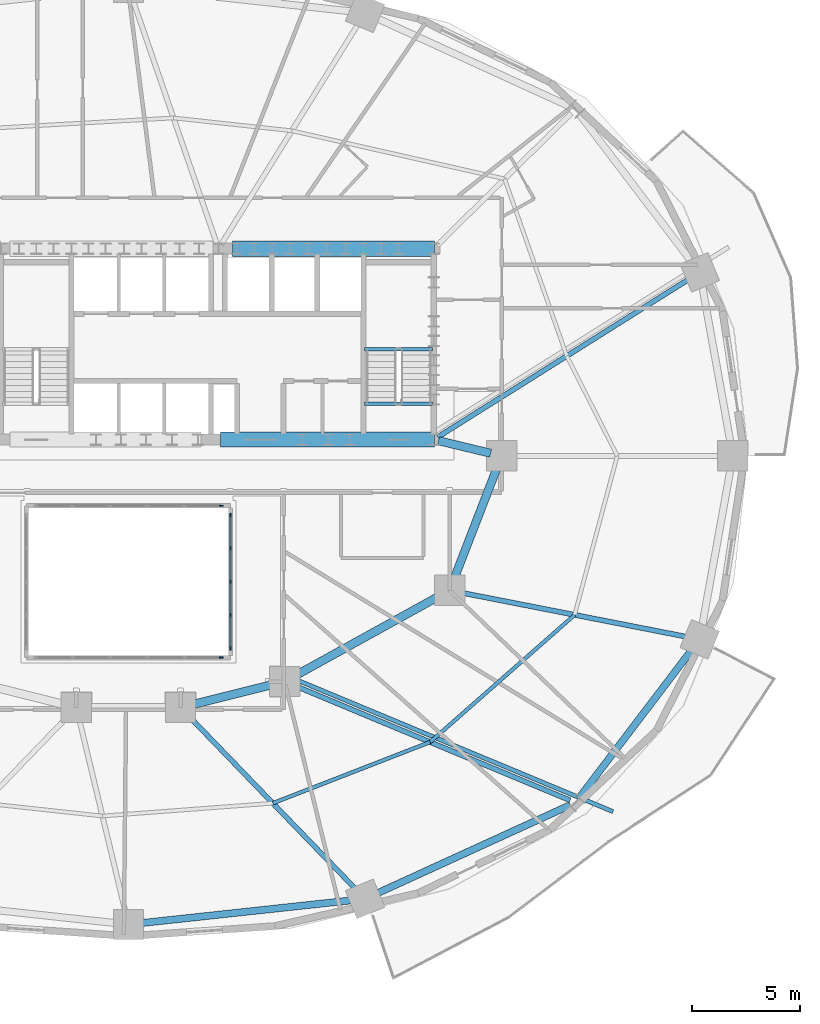
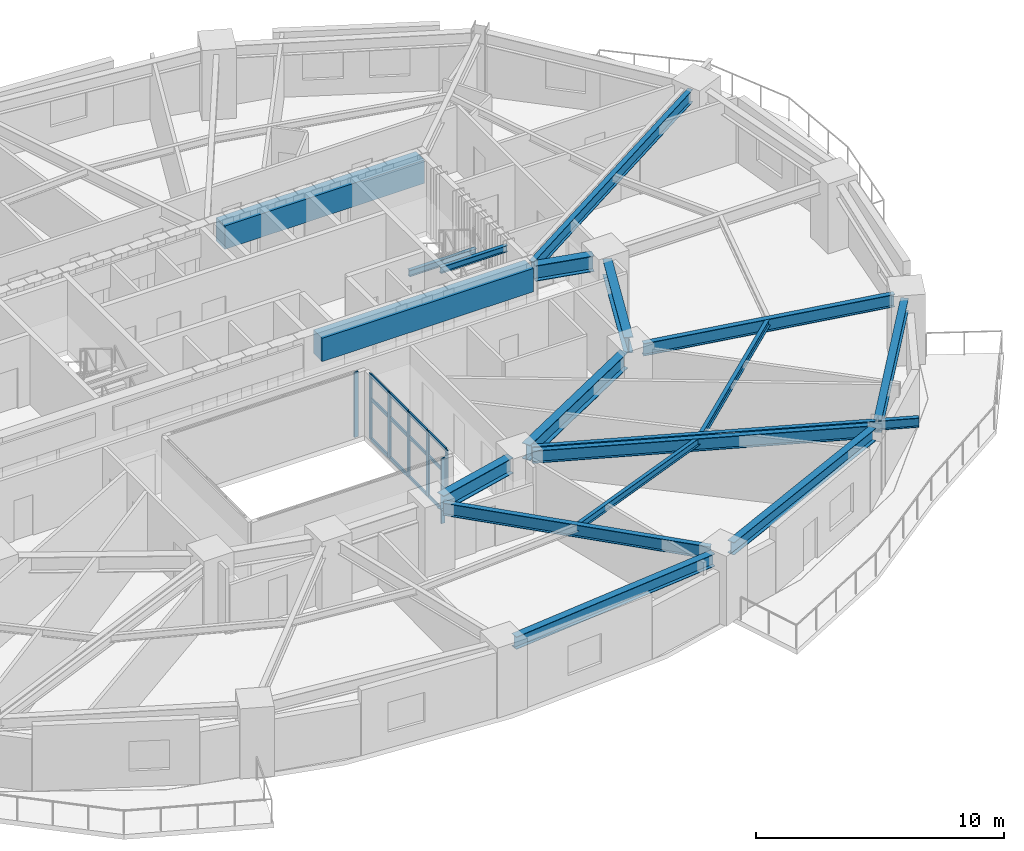
# One storey, part 5 of 15: 19 members, 18 beams, 3 elements without a shape of their own.
"""IFC4 building model written with IfcOpenShell, lengths in metres."""

from ifc_helpers import new_model, si_unit, direction, frame, origin, origin_2d, place, context, subcontext, project, spatial, rectangle, i_section, extrude, material, material_profile, profile_set, type_object, element, aggregate, save


model = new_model("IFC4")

# Units and contexts
model_context = context("Model", 3, precision=1e-05, world=origin(), true_north=direction((0.0, 1.0)))
body_context = subcontext(model_context, "Body", "Model", "MODEL_VIEW")
ifc_project = project(units=[si_unit("LENGTHUNIT", "METRE"), si_unit("AREAUNIT", "SQUARE_METRE"), si_unit("VOLUMEUNIT", "CUBIC_METRE"), si_unit("PLANEANGLEUNIT", "RADIAN"), si_unit("MASSUNIT", "GRAM", prefix="KILO")], contexts=[model_context])

# Site, building, storey
site_placement = place(None, origin())
site = spatial("IfcSite", under=ifc_project, at=site_placement, CompositionType="ELEMENT")
building_placement = place(site_placement, origin())
building = spatial("IfcBuilding", under=site, at=building_placement, Name="Haldorwick Loom Tower", CompositionType="ELEMENT")
storey_placement = place(building_placement, frame((0.0, 0.0, 92.14990234375)))
storey = spatial("IfcBuildingStorey", under=building, at=storey_placement, Name="L24", CompositionType="ELEMENT", Elevation=92.14990234375)

# Curtain wall, member
ifc_material_1 = material(Name="Thermally Broken Anodized Aluminium Curtain Wall Framing", Category="aluminium")
curtain_wall_type = type_object("IfcCurtainWallType", Name="ARC-CW-03", PredefinedType="NOTDEFINED", material=ifc_material_1)
curtain_wall_1_placement = place(storey_placement, origin())
curtain_wall_1 = element("IfcCurtainWall", 1, at=curtain_wall_1_placement, inside=storey, type_object=curtain_wall_type, Name="L24 Atrium Glazed Screen S", PredefinedType="NOTDEFINED")
ifc_material_profile_1 = material_profile(ifc_material_1, rectangle(XDim=0.06591796875, YDim=0.18505859375, at=origin_2d()), Name="ALU_MUL_66X185", Category="aluminium")
ifc_profile_set_1 = profile_set([ifc_material_profile_1], Name="Thermally Broken Anodized Aluminium Curtain Wall Framing")
member_type_1 = type_object("IfcMemberType", Name="ARC-CWM-03", PredefinedType="MULLION", material=ifc_profile_set_1)
member_1_placement = place(storey_placement, frame((40.26708984375, 16.699951171875, 0.0), z_axis=(0.0, 0.0, 1.0), x_axis=(0.0, -1.0, 0.0)))
member_1 = element("IfcMember", 2, at=member_1_placement, type_object=member_type_1, Name="CW-03 mullion 1", PredefinedType="MULLION", context=body_context, shape_type="SweptSolid", body=[
    extrude(rectangle(XDim=0.06591796875, YDim=0.18505859375, at=origin_2d()), origin(), (0.0, 0.0, 1.0), 3.210205078125),
])
aggregate(curtain_wall_1, [member_1])

curtain_wall_2_placement = place(storey_placement, origin())
curtain_wall_2 = element("IfcCurtainWall", 3, at=curtain_wall_2_placement, inside=storey, type_object=curtain_wall_type, Name="L24 Atrium Glazed Screen N", PredefinedType="NOTDEFINED")
member_2_placement = place(storey_placement, frame((40.26708984375, 23.699951171875, 0.0), z_axis=(0.0, 0.0, 1.0), x_axis=(0.0, 1.0, 0.0)))
member_2 = element("IfcMember", 4, at=member_2_placement, type_object=member_type_1, Name="CW-03 mullion 6", PredefinedType="MULLION", context=body_context, shape_type="SweptSolid", body=[
    extrude(rectangle(XDim=0.06591796875, YDim=0.18505859375, at=origin_2d()), origin(), (0.0, 0.0, 1.0), 3.210205078125),
])
aggregate(curtain_wall_2, [member_2])

# Curtain wall, members
curtain_wall_3_placement = place(storey_placement, origin())
curtain_wall_3 = element("IfcCurtainWall", 5, at=curtain_wall_3_placement, inside=storey, type_object=curtain_wall_type, Name="L24 Atrium Glazed Screen E", PredefinedType="NOTDEFINED")
member_3_placement = place(storey_placement, frame((40.699951171875, 23.26708984375, 0.0), z_axis=(0.0, 0.0, 1.0), x_axis=(1.0, 0.0, 0.0)))
member_3 = element("IfcMember", 6, at=member_3_placement, type_object=member_type_1, Name="CW-03 mullion 1", PredefinedType="MULLION", context=body_context, shape_type="SweptSolid", body=[
    extrude(rectangle(XDim=0.06591796875, YDim=0.18505859375, at=origin_2d()), origin(), (0.0, 0.0, 1.0), 3.210205078125),
])
member_4_placement = place(storey_placement, frame((40.699951171875, 21.75, 0.0), z_axis=(0.0, 0.0, 1.0), x_axis=(1.0, 0.0, 0.0)))
member_4 = element("IfcMember", 7, at=member_4_placement, type_object=member_type_1, Name="CW-03 mullion 2", PredefinedType="MULLION", context=body_context, shape_type="SweptSolid", body=[
    extrude(rectangle(XDim=0.06591796875, YDim=0.18505859375, at=origin_2d()), origin(), (0.0, 0.0, 1.0), 3.210205078125),
])
member_5_placement = place(storey_placement, frame((40.699951171875, 20.199951171875, 0.0), z_axis=(0.0, 0.0, 1.0), x_axis=(1.0, 0.0, 0.0)))
member_5 = element("IfcMember", 8, at=member_5_placement, type_object=member_type_1, Name="CW-03 mullion 3", PredefinedType="MULLION", context=body_context, shape_type="SweptSolid", body=[
    extrude(rectangle(XDim=0.06591796875, YDim=0.18505859375, at=origin_2d()), origin(), (0.0, 0.0, 1.0), 3.210205078125),
])
member_6_placement = place(storey_placement, frame((40.699951171875, 18.64990234375, 0.0), z_axis=(0.0, 0.0, 1.0), x_axis=(1.0, 0.0, 0.0)))
member_6 = element("IfcMember", 9, at=member_6_placement, type_object=member_type_1, Name="CW-03 mullion 4", PredefinedType="MULLION", context=body_context, shape_type="SweptSolid", body=[
    extrude(rectangle(XDim=0.06591796875, YDim=0.18505859375, at=origin_2d()), origin(), (0.0, 0.0, 1.0), 3.210205078125),
])
member_7_placement = place(storey_placement, frame((40.699951171875, 17.133056640625, 0.0), z_axis=(0.0, 0.0, 1.0), x_axis=(1.0, 0.0, 0.0)))
member_7 = element("IfcMember", 10, at=member_7_placement, type_object=member_type_1, Name="CW-03 mullion 5", PredefinedType="MULLION", context=body_context, shape_type="SweptSolid", body=[
    extrude(rectangle(XDim=0.06591796875, YDim=0.18505859375, at=origin_2d()), origin(), (0.0, 0.0, 1.0), 3.210205078125),
])
ifc_material_profile_2 = material_profile(ifc_material_1, rectangle(XDim=0.06591796875, YDim=0.1650390625, at=origin_2d()), Name="ALU_TRN_66X165", Category="aluminium")
ifc_profile_set_2 = profile_set([ifc_material_profile_2], Name="Thermally Broken Anodized Aluminium Curtain Wall Framing")
member_type_2 = type_object("IfcMemberType", Name="ARC-CWT-03", PredefinedType="USERDEFINED", material=ifc_profile_set_2)
member_8_placement = place(storey_placement, frame((40.699951171875, 23.23388671875, 0.033203125), z_axis=(0.0, -1.0, 0.0), x_axis=(1.0, 0.0, 0.0)))
member_8 = element("IfcMember", 11, at=member_8_placement, type_object=member_type_2, Name="CW-03 transom 1.1", ObjectType="TRANSOM", PredefinedType="USERDEFINED", context=body_context, shape_type="SweptSolid", body=[
    extrude(rectangle(XDim=0.06591796875, YDim=0.1650390625, at=origin_2d()), origin(), (0.0, 0.0, 1.0), 1.450927734375),
])
member_9_placement = place(storey_placement, frame((40.699951171875, 23.23388671875, 2.0), z_axis=(0.0, -1.0, 0.0), x_axis=(1.0, 0.0, 0.0)))
member_9 = element("IfcMember", 12, at=member_9_placement, type_object=member_type_2, Name="CW-03 transom 1.2", ObjectType="TRANSOM", PredefinedType="USERDEFINED", context=body_context, shape_type="SweptSolid", body=[
    extrude(rectangle(XDim=0.06591796875, YDim=0.1650390625, at=origin_2d()), origin(), (0.0, 0.0, 1.0), 1.450927734375),
])
member_10_placement = place(storey_placement, frame((40.699951171875, 23.23388671875, 3.177001953125), z_axis=(0.0, -1.0, 0.0), x_axis=(1.0, 0.0, 0.0)))
member_10 = element("IfcMember", 13, at=member_10_placement, type_object=member_type_2, Name="CW-03 transom 1.3", ObjectType="TRANSOM", PredefinedType="USERDEFINED", context=body_context, shape_type="SweptSolid", body=[
    extrude(rectangle(XDim=0.06591796875, YDim=0.1650390625, at=origin_2d()), origin(), (0.0, 0.0, 1.0), 1.450927734375),
])
member_11_placement = place(storey_placement, frame((40.699951171875, 21.717041015625, 0.033203125), z_axis=(0.0, -1.0, 0.0), x_axis=(1.0, 0.0, 0.0)))
member_11 = element("IfcMember", 14, at=member_11_placement, type_object=member_type_2, Name="CW-03 transom 2.1", ObjectType="TRANSOM", PredefinedType="USERDEFINED", context=body_context, shape_type="SweptSolid", body=[
    extrude(rectangle(XDim=0.06591796875, YDim=0.1650390625, at=origin_2d()), origin(), (0.0, 0.0, 1.0), 1.484130859375),
])
member_12_placement = place(storey_placement, frame((40.699951171875, 21.717041015625, 2.0), z_axis=(0.0, -1.0, 0.0), x_axis=(1.0, 0.0, 0.0)))
member_12 = element("IfcMember", 15, at=member_12_placement, type_object=member_type_2, Name="CW-03 transom 2.2", ObjectType="TRANSOM", PredefinedType="USERDEFINED", context=body_context, shape_type="SweptSolid", body=[
    extrude(rectangle(XDim=0.06591796875, YDim=0.1650390625, at=origin_2d()), origin(), (0.0, 0.0, 1.0), 1.484130859375),
])
member_13_placement = place(storey_placement, frame((40.699951171875, 21.717041015625, 3.177001953125), z_axis=(0.0, -1.0, 0.0), x_axis=(1.0, 0.0, 0.0)))
member_13 = element("IfcMember", 16, at=member_13_placement, type_object=member_type_2, Name="CW-03 transom 2.3", ObjectType="TRANSOM", PredefinedType="USERDEFINED", context=body_context, shape_type="SweptSolid", body=[
    extrude(rectangle(XDim=0.06591796875, YDim=0.1650390625, at=origin_2d()), origin(), (0.0, 0.0, 1.0), 1.484130859375),
])
member_14_placement = place(storey_placement, frame((40.699951171875, 20.1669921875, 0.033203125), z_axis=(0.0, -1.0, 0.0), x_axis=(1.0, 0.0, 0.0)))
member_14 = element("IfcMember", 17, at=member_14_placement, type_object=member_type_2, Name="CW-03 transom 3.1", ObjectType="TRANSOM", PredefinedType="USERDEFINED", context=body_context, shape_type="SweptSolid", body=[
    extrude(rectangle(XDim=0.06591796875, YDim=0.1650390625, at=origin_2d()), origin(), (0.0, 0.0, 1.0), 1.48388671875),
])
member_15_placement = place(storey_placement, frame((40.699951171875, 20.1669921875, 2.0), z_axis=(0.0, -1.0, 0.0), x_axis=(1.0, 0.0, 0.0)))
member_15 = element("IfcMember", 18, at=member_15_placement, type_object=member_type_2, Name="CW-03 transom 3.2", ObjectType="TRANSOM", PredefinedType="USERDEFINED", context=body_context, shape_type="SweptSolid", body=[
    extrude(rectangle(XDim=0.06591796875, YDim=0.1650390625, at=origin_2d()), origin(), (0.0, 0.0, 1.0), 1.48388671875),
])
member_16_placement = place(storey_placement, frame((40.699951171875, 20.1669921875, 3.177001953125), z_axis=(0.0, -1.0, 0.0), x_axis=(1.0, 0.0, 0.0)))
member_16 = element("IfcMember", 19, at=member_16_placement, type_object=member_type_2, Name="CW-03 transom 3.3", ObjectType="TRANSOM", PredefinedType="USERDEFINED", context=body_context, shape_type="SweptSolid", body=[
    extrude(rectangle(XDim=0.06591796875, YDim=0.1650390625, at=origin_2d()), origin(), (0.0, 0.0, 1.0), 1.48388671875),
])
member_17_placement = place(storey_placement, frame((40.699951171875, 18.616943359375, 0.033203125), z_axis=(0.0, -1.0, 0.0), x_axis=(1.0, 0.0, 0.0)))
member_17 = element("IfcMember", 20, at=member_17_placement, type_object=member_type_2, Name="CW-03 transom 4.1", ObjectType="TRANSOM", PredefinedType="USERDEFINED", context=body_context, shape_type="SweptSolid", body=[
    extrude(rectangle(XDim=0.06591796875, YDim=0.1650390625, at=origin_2d()), origin(), (0.0, 0.0, 1.0), 1.450927734375),
])
member_18_placement = place(storey_placement, frame((40.699951171875, 18.616943359375, 2.0), z_axis=(0.0, -1.0, 0.0), x_axis=(1.0, 0.0, 0.0)))
member_18 = element("IfcMember", 21, at=member_18_placement, type_object=member_type_2, Name="CW-03 transom 4.2", ObjectType="TRANSOM", PredefinedType="USERDEFINED", context=body_context, shape_type="SweptSolid", body=[
    extrude(rectangle(XDim=0.06591796875, YDim=0.1650390625, at=origin_2d()), origin(), (0.0, 0.0, 1.0), 1.450927734375),
])
member_19_placement = place(storey_placement, frame((40.699951171875, 18.616943359375, 3.177001953125), z_axis=(0.0, -1.0, 0.0), x_axis=(1.0, 0.0, 0.0)))
member_19 = element("IfcMember", 22, at=member_19_placement, type_object=member_type_2, Name="CW-03 transom 4.3", ObjectType="TRANSOM", PredefinedType="USERDEFINED", context=body_context, shape_type="SweptSolid", body=[
    extrude(rectangle(XDim=0.06591796875, YDim=0.1650390625, at=origin_2d()), origin(), (0.0, 0.0, 1.0), 1.450927734375),
])
aggregate(curtain_wall_3, [member_3, member_4, member_5, member_6, member_7, member_8, member_9, member_10, member_11, member_12, member_13, member_14, member_15, member_16, member_17, member_18, member_19])

# Beams
ifc_material_2 = material(Name="Steel CSA G40.21 350W", Category="steel")
ifc_material_profile_3 = material_profile(ifc_material_2, i_section(OverallWidth=0.193115234375, OverallDepth=0.466064453125, WebThickness=0.011474609375, FlangeThickness=0.01904296875, at=origin_2d()), Name="W460X97", Category="steel")
ifc_profile_set_3 = profile_set([ifc_material_profile_3], Name="Steel CSA G40.21 350W")
beam_type_1 = type_object("IfcBeamType", Name="STR-BM-BAL460", PredefinedType="BEAM", material=ifc_profile_set_3)
beam_1_placement = place(storey_placement, frame((43.78759765625, 15.65869140625, 2.97705078125), z_axis=(0.923187850755, -0.384349049976, 0.0), x_axis=(0.384349049976, 0.923187850755, 0.0)))
element("IfcBeam", 23, at=beam_1_placement, inside=storey, type_object=beam_type_1, Name="L24 Continuous Back-Spanned Balcony Beam 1", PredefinedType="BEAM", context=body_context, shape_type="SweptSolid", body=[
    extrude(i_section(OverallWidth=0.193115234375, OverallDepth=0.466064453125, WebThickness=0.011474609375, FlangeThickness=0.01904296875, at=origin_2d()), origin(), (0.0, 0.0, 1.0), 15.75244140625),
])
ifc_material_3 = material(Name="Concrete C60 (60 MPa)", Category="concrete")
ifc_material_profile_4 = material_profile(ifc_material_3, rectangle(XDim=0.699951171875, YDim=1.14990234375, at=origin_2d()), Name="RC700X1150", Category="concrete")
ifc_profile_set_4 = profile_set([ifc_material_profile_4], Name="Concrete C60 (60 MPa)")
beam_type_2 = type_object("IfcBeamType", Name="STR-BM-CB1150", PredefinedType="LINTEL", material=ifc_profile_set_4)
beam_2_placement = place(storey_placement, frame((40.800048828125, 35.550048828125, 2.635009765625), z_axis=(1.0, 0.0, 0.0), x_axis=(0.0, 1.0, 0.0)))
element("IfcBeam", 24, at=beam_2_placement, inside=storey, type_object=beam_type_2, Name="L24 Core Coupling Beam CB-N3", PredefinedType="LINTEL", context=body_context, shape_type="SweptSolid", body=[
    extrude(rectangle(XDim=0.699951171875, YDim=1.14990234375, at=origin_2d()), origin(), (0.0, 0.0, 1.0), 9.300048828125),
])
beam_3_placement = place(storey_placement, frame((40.25, 26.75, 2.635009765625), z_axis=(1.0, 0.0, 0.0), x_axis=(0.0, 1.0, 0.0)))
element("IfcBeam", 25, at=beam_3_placement, inside=storey, type_object=beam_type_2, Name="L24 Core Coupling Beam CB-S3", PredefinedType="LINTEL", context=body_context, shape_type="SweptSolid", body=[
    extrude(rectangle(XDim=0.699951171875, YDim=1.14990234375, at=origin_2d()), origin(), (0.0, 0.0, 1.0), 9.85009765625),
])
ifc_material_profile_5 = material_profile(ifc_material_2, i_section(OverallWidth=0.172119140625, OverallDepth=0.35791015625, WebThickness=0.0078125, FlangeThickness=0.01318359375, at=origin_2d()), Name="W360X57", Category="steel")
ifc_profile_set_5 = profile_set([ifc_material_profile_5], Name="Steel CSA G40.21 350W")
beam_type_3 = type_object("IfcBeamType", Name="STR-BM-J360", PredefinedType="JOIST", material=ifc_profile_set_5)
beam_4_placement = place(storey_placement, frame((42.6533203125, 9.9912109375, 3.031005859375), z_axis=(0.932072983051, 0.362270553959, 0.0), x_axis=(-0.362270553959, 0.932072983051, 0.0)))
element("IfcBeam", 26, at=beam_4_placement, inside=storey, type_object=beam_type_3, Name="L24 Mid-Bay Secondary Joist 14", PredefinedType="JOIST", context=body_context, shape_type="SweptSolid", body=[
    extrude(i_section(OverallWidth=0.172119140625, OverallDepth=0.35791015625, WebThickness=0.0078125, FlangeThickness=0.01318359375, at=origin_2d()), origin(), (0.0, 0.0, 1.0), 7.7783203125),
])
beam_5_placement = place(storey_placement, frame((49.9033203125, 12.80908203125, 3.031005859375), z_axis=(0.750721157729, 0.660619212057, 0.0), x_axis=(-0.660619212057, 0.750721157729, 0.0)))
element("IfcBeam", 27, at=beam_5_placement, inside=storey, type_object=beam_type_3, Name="L24 Mid-Bay Secondary Joist 15", PredefinedType="JOIST", context=body_context, shape_type="SweptSolid", body=[
    extrude(i_section(OverallWidth=0.172119140625, OverallDepth=0.35791015625, WebThickness=0.0078125, FlangeThickness=0.01318359375, at=origin_2d()), origin(), (0.0, 0.0, 1.0), 8.8740234375),
])
ifc_material_profile_6 = material_profile(ifc_material_2, i_section(OverallWidth=0.324951171875, OverallDepth=0.615966796875, WebThickness=0.013916015625, FlangeThickness=0.021484375, at=origin_2d()), Name="W610X174", Category="steel")
ifc_profile_set_6 = profile_set([ifc_material_profile_6], Name="Steel CSA G40.21 350W")
beam_type_4 = type_object("IfcBeamType", Name="STR-BM-SP610", PredefinedType="SPANDREL", material=ifc_profile_set_6)
beam_6_placement = place(storey_placement, frame((36.51708984375, 4.45751953125, 2.902099609375), z_axis=(0.994190135627, 0.107638163409, 0.0), x_axis=(-0.107638163409, 0.994190135627, 0.0)))
element("IfcBeam", 28, at=beam_6_placement, inside=storey, type_object=beam_type_4, Name="L24 Perimeter Spandrel 13", PredefinedType="SPANDREL", context=body_context, shape_type="SweptSolid", body=[
    extrude(i_section(OverallWidth=0.324951171875, OverallDepth=0.615966796875, WebThickness=0.013916015625, FlangeThickness=0.021484375, at=origin_2d()), origin(), (0.0, 0.0, 1.0), 9.929931640625),
])
beam_7_placement = place(storey_placement, frame((47.37939453125, 5.798583984375, 2.902099609375), z_axis=(0.909423969306, 0.415870225011, 0.0), x_axis=(-0.415870225011, 0.909423969306, 0.0)))
element("IfcBeam", 29, at=beam_7_placement, inside=storey, type_object=beam_type_4, Name="L24 Perimeter Spandrel 14", PredefinedType="SPANDREL", context=body_context, shape_type="SweptSolid", body=[
    extrude(i_section(OverallWidth=0.324951171875, OverallDepth=0.615966796875, WebThickness=0.013916015625, FlangeThickness=0.021484375, at=origin_2d()), origin(), (0.0, 0.0, 1.0), 9.871337890625),
])
beam_8_placement = place(storey_placement, frame((56.773193359375, 10.2373046875, 2.902099609375), z_axis=(0.605453508047, 0.795880675475, 0.0), x_axis=(-0.795880675475, 0.605453508047, 0.0)))
element("IfcBeam", 30, at=beam_8_placement, inside=storey, type_object=beam_type_4, Name="L24 Perimeter Spandrel 15", PredefinedType="SPANDREL", context=body_context, shape_type="SweptSolid", body=[
    extrude(i_section(OverallWidth=0.324951171875, OverallDepth=0.615966796875, WebThickness=0.013916015625, FlangeThickness=0.021484375, at=origin_2d()), origin(), (0.0, 0.0, 1.0), 8.6591796875),
])
ifc_material_profile_7 = material_profile(ifc_material_2, i_section(OverallWidth=0.166015625, OverallDepth=0.31298828125, WebThickness=0.006591796875, FlangeThickness=0.01123046875, at=origin_2d()), Name="W310X45", Category="steel")
ifc_profile_set_7 = profile_set([ifc_material_profile_7], Name="Steel CSA G40.21 350W")
beam_type_5 = type_object("IfcBeamType", Name="STR-BM-STRM", PredefinedType="BEAM", material=ifc_profile_set_7)
for number, where, z_axis, x_axis, name in (
    (31, (46.889892578125, 28.39990234375, 3.0537109375), (1.0, 0.0, 0.0), (0.0, 1.0, 0.0), "L24 Stair ST-02 Landing Edge Trimmer"),
    (32, (46.889892578125, 30.919921875, 1.36865234375), (1.0, 0.0, 0.0), (0.0, 1.0, 0.0), "L24 Stair ST-02 Half-Landing Trimmer 1"),
):
    element("IfcBeam", number, at=place(storey_placement, frame(where, z_axis=z_axis, x_axis=x_axis)), inside=storey, type_object=beam_type_5, Name=name, PredefinedType="BEAM", context=body_context, shape_type="SweptSolid", body=[
        extrude(i_section(OverallWidth=0.166015625, OverallDepth=0.31298828125, WebThickness=0.006591796875, FlangeThickness=0.01123046875, at=origin_2d()), origin(), (0.0, 0.0, 1.0), 3.1201171875),
    ])
ifc_material_profile_8 = material_profile(ifc_material_2, i_section(OverallWidth=0.22998046875, OverallDepth=0.616943359375, WebThickness=0.01318359375, FlangeThickness=0.022216796875, at=origin_2d()), Name="W610X140", Category="steel")
ifc_profile_set_8 = profile_set([ifc_material_profile_8], Name="Steel CSA G40.21 350W")
beam_type_6 = type_object("IfcBeamType", Name="STR-BM-W610B", PredefinedType="BEAM", material=ifc_profile_set_8)
beam_9_placement = place(storey_placement, frame((50.260498046875, 26.86962890625, 2.901611328125), z_axis=(0.846609551433, 0.532214493811, 0.0), x_axis=(-0.532214493811, 0.846609551433, 0.0)))
element("IfcBeam", 33, at=beam_9_placement, inside=storey, type_object=beam_type_6, Name="L24 Radial Floor Girder 2", PredefinedType="BEAM", context=body_context, shape_type="SweptSolid", body=[
    extrude(i_section(OverallWidth=0.22998046875, OverallDepth=0.616943359375, WebThickness=0.01318359375, FlangeThickness=0.022216796875, at=origin_2d()), origin(), (0.0, 0.0, 1.0), 13.737060546875),
])
beam_10_placement = place(storey_placement, frame((38.760986328125, 14.02587890625, 2.901611328125), z_axis=(0.694287071595, -0.719698174387, 0.0), x_axis=(0.719698174387, 0.694287071595, 0.0)))
element("IfcBeam", 34, at=beam_10_placement, inside=storey, type_object=beam_type_6, Name="L24 Radial Floor Girder 14", PredefinedType="BEAM", context=body_context, shape_type="SweptSolid", body=[
    extrude(i_section(OverallWidth=0.22998046875, OverallDepth=0.616943359375, WebThickness=0.01318359375, FlangeThickness=0.022216796875, at=origin_2d()), origin(), (0.0, 0.0, 1.0), 11.212158203125),
])
beam_11_placement = place(storey_placement, frame((43.68017578125, 15.400146484375, 2.901611328125), z_axis=(0.923183704764, -0.384359008297, 0.0), x_axis=(0.384359008297, 0.923183704764, 0.0)))
element("IfcBeam", 35, at=beam_11_placement, inside=storey, type_object=beam_type_6, Name="L24 Radial Floor Girder 15", PredefinedType="BEAM", context=body_context, shape_type="SweptSolid", body=[
    extrude(i_section(OverallWidth=0.22998046875, OverallDepth=0.616943359375, WebThickness=0.01318359375, FlangeThickness=0.022216796875, at=origin_2d()), origin(), (0.0, 0.0, 1.0), 13.72705078125),
])
beam_12_placement = place(storey_placement, frame((51.310302734375, 19.7001953125, 2.901611328125), z_axis=(0.981369581426, -0.192129499692, 0.0), x_axis=(0.192129499692, 0.981369581426, 0.0)))
element("IfcBeam", 36, at=beam_12_placement, inside=storey, type_object=beam_type_6, Name="L24 Radial Floor Girder 16", PredefinedType="BEAM", context=body_context, shape_type="SweptSolid", body=[
    extrude(i_section(OverallWidth=0.22998046875, OverallDepth=0.616943359375, WebThickness=0.01318359375, FlangeThickness=0.022216796875, at=origin_2d()), origin(), (0.0, 0.0, 1.0), 10.70947265625),
])
ifc_material_profile_9 = material_profile(ifc_material_2, i_section(OverallWidth=0.381103515625, OverallDepth=0.77294921875, WebThickness=0.0166015625, FlangeThickness=0.027587890625, at=origin_2d()), Name="W760X257", Category="steel")
ifc_profile_set_9 = profile_set([ifc_material_profile_9], Name="Steel CSA G40.21 350W")
beam_type_7 = type_object("IfcBeamType", Name="STR-BM-W760", PredefinedType="BEAM", material=ifc_profile_set_9)
beam_13_placement = place(storey_placement, frame((50.288818359375, 26.697509765625, 2.823486328125), z_axis=(0.97247055837, -0.233025777764, 0.0), x_axis=(0.233025777764, 0.97247055837, 0.0)))
element("IfcBeam", 37, at=beam_13_placement, inside=storey, type_object=beam_type_7, Name="L24 Inner Ring Girder 1", PredefinedType="BEAM", context=body_context, shape_type="SweptSolid", body=[
    extrude(i_section(OverallWidth=0.381103515625, OverallDepth=0.77294921875, WebThickness=0.0166015625, FlangeThickness=0.027587890625, at=origin_2d()), origin(), (0.0, 0.0, 1.0), 2.4736328125),
])
beam_14_placement = place(storey_placement, frame((53.01220703125, 25.51513671875, 2.823486328125), z_axis=(-0.360964792353, -0.93257944363, 0.0), x_axis=(0.93257944363, -0.360964792353, 0.0)))
element("IfcBeam", 38, at=beam_14_placement, inside=storey, type_object=beam_type_7, Name="L24 Inner Ring Girder 2", PredefinedType="BEAM", context=body_context, shape_type="SweptSolid", body=[
    extrude(i_section(OverallWidth=0.381103515625, OverallDepth=0.77294921875, WebThickness=0.0166015625, FlangeThickness=0.027587890625, at=origin_2d()), origin(), (0.0, 0.0, 1.0), 5.6083984375),
])
beam_15_placement = place(storey_placement, frame((50.344970703125, 19.548583984375, 2.823486328125), z_axis=(-0.875244382146, -0.483680960471, 0.0), x_axis=(0.483680960471, -0.875244382146, 0.0)))
element("IfcBeam", 39, at=beam_15_placement, inside=storey, type_object=beam_type_7, Name="L24 Inner Ring Girder 3", PredefinedType="BEAM", context=body_context, shape_type="SweptSolid", body=[
    extrude(i_section(OverallWidth=0.381103515625, OverallDepth=0.77294921875, WebThickness=0.0166015625, FlangeThickness=0.027587890625, at=origin_2d()), origin(), (0.0, 0.0, 1.0), 7.6435546875),
])
beam_16_placement = place(storey_placement, frame((42.695556640625, 15.473876953125, 2.823486328125), z_axis=(-0.970142500145, -0.242535625036, 0.0), x_axis=(0.242535625036, -0.970142500145, 0.0)))
element("IfcBeam", 40, at=beam_16_placement, inside=storey, type_object=beam_type_7, Name="L24 Inner Ring Girder 4", PredefinedType="BEAM", context=body_context, shape_type="SweptSolid", body=[
    extrude(i_section(OverallWidth=0.381103515625, OverallDepth=0.77294921875, WebThickness=0.0166015625, FlangeThickness=0.027587890625, at=origin_2d()), origin(), (0.0, 0.0, 1.0), 3.90771484375),
])

save(model, "model.ifc")
